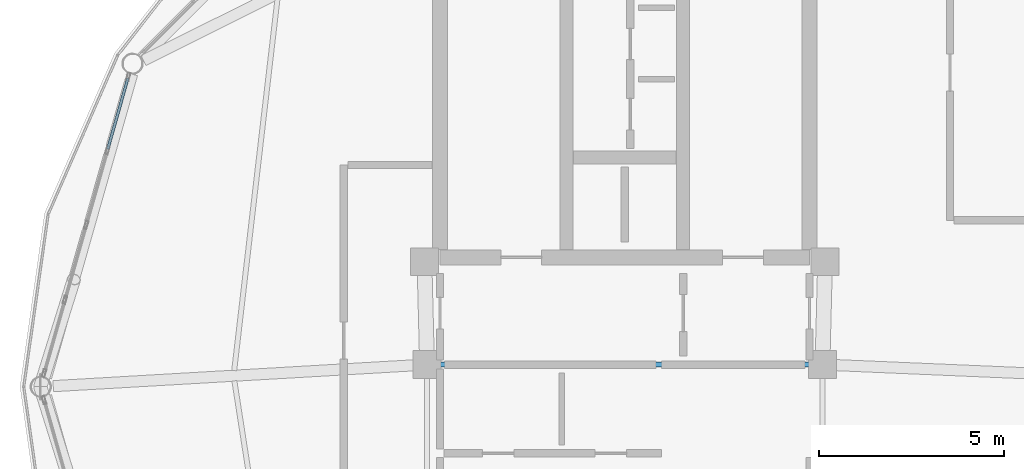
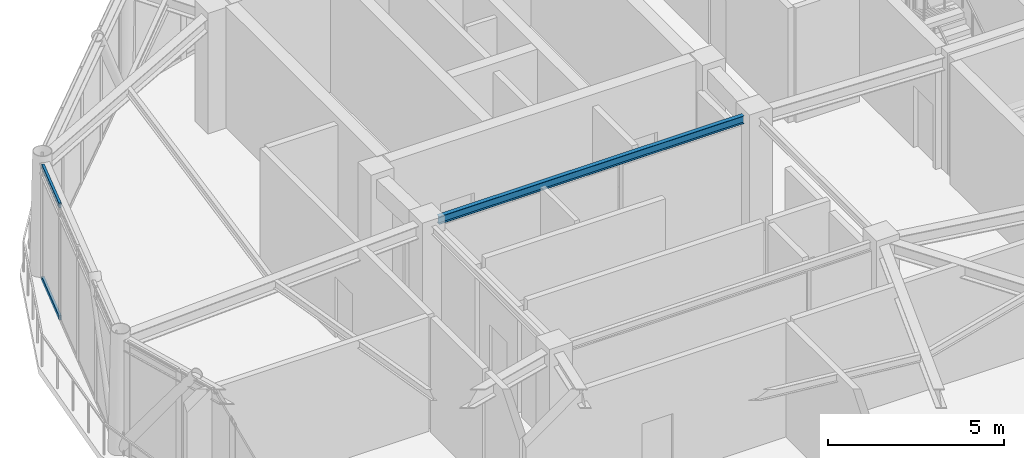
# One storey, part 9 of 21: 2 members, 1 beam, 1 element without a shape of its own.
"""IFC4 building model written with IfcOpenShell, lengths in metres."""

from ifc_helpers import new_model, si_unit, direction, frame, origin, origin_2d, place, context, subcontext, project, spatial, hollow_rectangle, i_section, extrude, material, layer, layer_set, material_profile, profile_set, type_object, element, aggregate, save


model = new_model("IFC4")

# Units and contexts
model_context = context("Model", 3, precision=1e-05, world=origin(), true_north=direction((0.0, 1.0)))
body_context = subcontext(model_context, "Body", "Model", "MODEL_VIEW")
ifc_project = project(units=[si_unit("LENGTHUNIT", "METRE"), si_unit("AREAUNIT", "SQUARE_METRE"), si_unit("VOLUMEUNIT", "CUBIC_METRE"), si_unit("PLANEANGLEUNIT", "RADIAN"), si_unit("MASSUNIT", "GRAM", prefix="KILO")], contexts=[model_context])

# Site, building, storey
site_placement = place(None, origin())
site = spatial("IfcSite", under=ifc_project, at=site_placement, CompositionType="ELEMENT")
building_placement = place(site_placement, origin())
building = spatial("IfcBuilding", under=site, at=building_placement, Name="Varnakorn Sky Granary", CompositionType="ELEMENT")
storey_placement = place(building_placement, frame((0.0, 0.0, 294.0)))
storey = spatial("IfcBuildingStorey", under=building, at=storey_placement, Name="L75", CompositionType="ELEMENT", Elevation=294.0)

# Beam
ifc_material_1 = material(Name="Steel S355JR", Category="steel")
ifc_material_profile_1 = material_profile(ifc_material_1, i_section(OverallWidth=0.135009765625, OverallDepth=0.27001953125, WebThickness=0.006591796875, FlangeThickness=0.01025390625, at=origin_2d()), Name="IPE 270")
ifc_profile_set_1 = profile_set([ifc_material_profile_1], Name="Steel S355JR")
beam_type = type_object("IfcBeamType", Name="BM-SEC-Z5", PredefinedType="BEAM", material=ifc_profile_set_1)
beam_placement = place(storey_placement, frame((-1.9951171875, 0.60009765625, 3.824951171875), z_axis=(1.0, 0.0, 0.0), x_axis=(0.0, 1.0, 0.0)))
element("IfcBeam", 1, at=beam_placement, inside=storey, type_object=beam_type, Name="Core Spine Framing Beam 5 L75", PredefinedType="BEAM", context=body_context, shape_type="SweptSolid", body=[
    extrude(i_section(OverallWidth=0.135009765625, OverallDepth=0.27001953125, WebThickness=0.006591796875, FlangeThickness=0.01025390625, at=origin_2d()), origin(), (0.0, 0.0, 1.0), 9.990234375),
])

# Curtain wall, members
ifc_material_2 = material(Name="Anodised Bronze Aluminium Alloy 6063-T6", Category="aluminium")
ifc_layer = layer(ifc_material_2, 0.22998046875, Name="Anodised Bronze Aluminium Alloy 6063-T6")
ifc_layer_set = layer_set([ifc_layer], Name="Anodised Bronze Aluminium Alloy 6063-T6")
curtain_wall_type = type_object("IfcCurtainWallType", Name="CW-LNT-1", PredefinedType="USERDEFINED", material=ifc_layer_set)
curtain_wall_placement = place(storey_placement, origin())
curtain_wall = element("IfcCurtainWall", 2, at=curtain_wall_placement, inside=storey, type_object=curtain_wall_type, Name="Unitised Curtain Wall CW7 CW-L75-B06", ObjectType="CURTAIN WALL", PredefinedType="USERDEFINED")
ifc_material_profile_2 = material_profile(ifc_material_2, hollow_rectangle(XDim=0.074951171875, YDim=0.159912109375, WallThickness=0.00390625, at=origin_2d()), Name="ALU TRAN 75x160")
ifc_profile_set_2 = profile_set([ifc_material_profile_2], Name="Anodised Bronze Aluminium Alloy 6063-T6")
member_type = type_object("IfcMemberType", Name="CW-LNT-1-TRAN", PredefinedType="USERDEFINED", material=ifc_profile_set_2)
member_1_placement = place(storey_placement, frame((-10.987548828125, 6.43310546875, 0.03759765625), z_axis=(0.27311718232, 0.961980771493, 0.0), x_axis=(-0.961980771493, 0.27311718232, 0.0)))
member_1 = element("IfcMember", 3, at=member_1_placement, type_object=member_type, Name="CW7 transom 4.1", ObjectType="TRANSOM", PredefinedType="USERDEFINED", context=body_context, shape_type="SweptSolid", body=[
    extrude(hollow_rectangle(XDim=0.074951171875, YDim=0.159912109375, WallThickness=0.00390625, at=origin_2d()), origin(), (0.0, 0.0, 1.0), 1.99072265625),
])
member_2_placement = place(storey_placement, frame((-10.987548828125, 6.43310546875, 3.922607421875), z_axis=(0.27311718232, 0.961980771493, 0.0), x_axis=(-0.961980771493, 0.27311718232, 0.0)))
member_2 = element("IfcMember", 4, at=member_2_placement, type_object=member_type, Name="CW7 transom 4.2", ObjectType="TRANSOM", PredefinedType="USERDEFINED", context=body_context, shape_type="SweptSolid", body=[
    extrude(hollow_rectangle(XDim=0.074951171875, YDim=0.159912109375, WallThickness=0.00390625, at=origin_2d()), origin(), (0.0, 0.0, 1.0), 1.99072265625),
])
aggregate(curtain_wall, [member_1, member_2])

save(model, "model.ifc")
